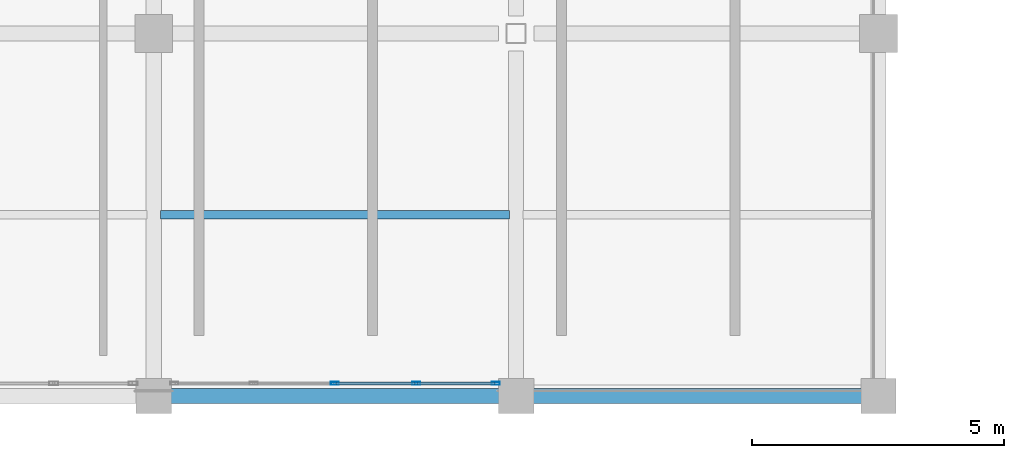
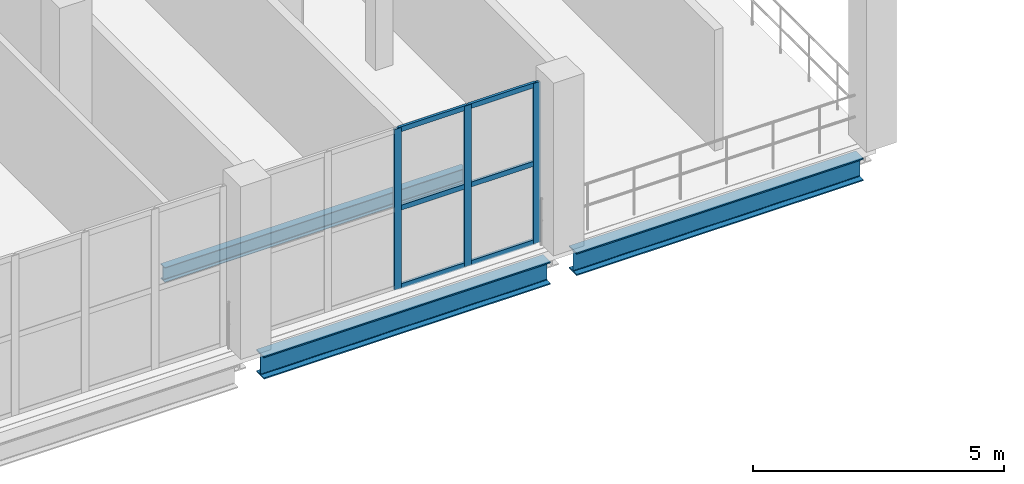
# One storey, part 40 of 130: 9 members, 3 beams, 1 element without a shape of its own.
"""IFC4 building model written with IfcOpenShell, lengths in metres."""

from ifc_helpers import new_model, si_unit, direction, frame, origin, origin_2d, place, context, subcontext, project, spatial, hollow_rectangle, i_section, extrude, material, material_profile, profile_set, type_object, element, aggregate, save


model = new_model("IFC4")

# Units and contexts
model_context = context("Model", 3, precision=1e-05, world=origin(), true_north=direction((0.0, 1.0)))
body_context = subcontext(model_context, "Body", "Model", "MODEL_VIEW")
ifc_project = project(units=[si_unit("LENGTHUNIT", "METRE"), si_unit("AREAUNIT", "SQUARE_METRE"), si_unit("VOLUMEUNIT", "CUBIC_METRE"), si_unit("PLANEANGLEUNIT", "RADIAN"), si_unit("MASSUNIT", "GRAM", prefix="KILO")], contexts=[model_context])

# Site, building, storey
site_placement = place(None, origin())
site = spatial("IfcSite", under=ifc_project, at=site_placement, CompositionType="ELEMENT")
building_placement = place(site_placement, origin())
building = spatial("IfcBuilding", under=site, at=building_placement, Name="Qandorah Velis Arena", CompositionType="ELEMENT")
storey_placement = place(building_placement, frame((0.0, 0.0, 9.60009765625)))
storey = spatial("IfcBuildingStorey", under=building, at=storey_placement, Name="L02", CompositionType="ELEMENT", Elevation=9.60009765625)

# Curtain wall, members
ifc_material_1 = material(Name="Solar-control low-E double glazing", Category="glass")
curtain_wall_type = type_object("IfcCurtainWallType", Name="ARC-CW-SYS19", PredefinedType="USERDEFINED", material=ifc_material_1)
curtain_wall_placement = place(storey_placement, origin())
curtain_wall = element("IfcCurtainWall", 1, at=curtain_wall_placement, inside=storey, type_object=curtain_wall_type, Name="Unitised curtain wall L02-067", ObjectType="UNITISED CURTAIN WALL", PredefinedType="USERDEFINED")
ifc_material_2 = material(Name="Champagne-bronze anodized aluminium 6063-T6", Category="aluminium")
ifc_material_profile_1 = material_profile(ifc_material_2, hollow_rectangle(XDim=0.06005859375, YDim=0.159912109375, WallThickness=0.00341796875, at=origin_2d()), Name="ALU MULLION 60x160")
ifc_profile_set_1 = profile_set([ifc_material_profile_1], Name="Champagne-bronze anodized aluminium 6063-T6")
member_type_1 = type_object("IfcMemberType", Name="ARC-CWM-160", PredefinedType="MULLION", material=ifc_profile_set_1)
member_1_placement = place(storey_placement, frame((104.39990234375, 0.25, -0.01513671875), z_axis=(0.0, 0.0, 1.0), x_axis=(0.0, 1.0, 0.0)))
member_1 = element("IfcMember", 2, at=member_1_placement, type_object=member_type_1, Name="CW19 mullion 3", PredefinedType="MULLION", context=body_context, shape_type="SweptSolid", body=[
    extrude(hollow_rectangle(XDim=0.06005859375, YDim=0.159912109375, WallThickness=0.00341796875, at=origin_2d()), origin(), (0.0, 0.0, 1.0), 3.91015625),
])
member_2_placement = place(storey_placement, frame((106.012451171875, 0.25, -0.01513671875), z_axis=(0.0, 0.0, 1.0), x_axis=(0.0, 1.0, 0.0)))
member_2 = element("IfcMember", 3, at=member_2_placement, type_object=member_type_1, Name="CW19 mullion 4", PredefinedType="MULLION", context=body_context, shape_type="SweptSolid", body=[
    extrude(hollow_rectangle(XDim=0.06005859375, YDim=0.159912109375, WallThickness=0.00341796875, at=origin_2d()), origin(), (0.0, 0.0, 1.0), 3.91015625),
])
member_3_placement = place(storey_placement, frame((107.594970703125, 0.25, -0.01513671875), z_axis=(0.0, 0.0, 1.0), x_axis=(0.0, 1.0, 0.0)))
member_3 = element("IfcMember", 4, at=member_3_placement, type_object=member_type_1, Name="CW19 mullion 5", PredefinedType="MULLION", context=body_context, shape_type="SweptSolid", body=[
    extrude(hollow_rectangle(XDim=0.06005859375, YDim=0.159912109375, WallThickness=0.00341796875, at=origin_2d()), origin(), (0.0, 0.0, 1.0), 3.91015625),
])
ifc_material_profile_2 = material_profile(ifc_material_2, hollow_rectangle(XDim=0.06005859375, YDim=0.1201171875, WallThickness=0.0029296875, at=origin_2d()), Name="ALU TRANSOM 60x120")
ifc_profile_set_2 = profile_set([ifc_material_profile_2], Name="Champagne-bronze anodized aluminium 6063-T6")
member_type_2 = type_object("IfcMemberType", Name="ARC-CWT-120", PredefinedType="USERDEFINED", material=ifc_profile_set_2)
member_4_placement = place(storey_placement, frame((104.41796875, 0.25, 0.02978515625), z_axis=(1.0, 0.0, 0.0), x_axis=(0.0, 1.0, 0.0)))
member_4 = element("IfcMember", 5, at=member_4_placement, type_object=member_type_2, Name="CW19 transom 3.1", ObjectType="TRANSOM", PredefinedType="USERDEFINED", context=body_context, shape_type="SweptSolid", body=[
    extrude(hollow_rectangle(XDim=0.06005859375, YDim=0.1201171875, WallThickness=0.0029296875, at=origin_2d()), origin(), (0.0, 0.0, 1.0), 1.576416015625),
])
member_5_placement = place(storey_placement, frame((104.41796875, 0.25, 1.93994140625), z_axis=(1.0, 0.0, 0.0), x_axis=(0.0, 1.0, 0.0)))
member_5 = element("IfcMember", 6, at=member_5_placement, type_object=member_type_2, Name="CW19 transom 3.2", ObjectType="TRANSOM", PredefinedType="USERDEFINED", context=body_context, shape_type="SweptSolid", body=[
    extrude(hollow_rectangle(XDim=0.06005859375, YDim=0.1201171875, WallThickness=0.0029296875, at=origin_2d()), origin(), (0.0, 0.0, 1.0), 1.576416015625),
])
member_6_placement = place(storey_placement, frame((104.41796875, 0.25, 3.849853515625), z_axis=(1.0, 0.0, 0.0), x_axis=(0.0, 1.0, 0.0)))
member_6 = element("IfcMember", 7, at=member_6_placement, type_object=member_type_2, Name="CW19 transom 3.3", ObjectType="TRANSOM", PredefinedType="USERDEFINED", context=body_context, shape_type="SweptSolid", body=[
    extrude(hollow_rectangle(XDim=0.06005859375, YDim=0.1201171875, WallThickness=0.0029296875, at=origin_2d()), origin(), (0.0, 0.0, 1.0), 1.576416015625),
])
member_7_placement = place(storey_placement, frame((106.030517578125, 0.25, 0.02978515625), z_axis=(1.0, 0.0, 0.0), x_axis=(0.0, 1.0, 0.0)))
member_7 = element("IfcMember", 8, at=member_7_placement, type_object=member_type_2, Name="CW19 transom 4.1", ObjectType="TRANSOM", PredefinedType="USERDEFINED", context=body_context, shape_type="SweptSolid", body=[
    extrude(hollow_rectangle(XDim=0.06005859375, YDim=0.1201171875, WallThickness=0.0029296875, at=origin_2d()), origin(), (0.0, 0.0, 1.0), 1.54638671875),
])
member_8_placement = place(storey_placement, frame((106.030517578125, 0.25, 1.93994140625), z_axis=(1.0, 0.0, 0.0), x_axis=(0.0, 1.0, 0.0)))
member_8 = element("IfcMember", 9, at=member_8_placement, type_object=member_type_2, Name="CW19 transom 4.2", ObjectType="TRANSOM", PredefinedType="USERDEFINED", context=body_context, shape_type="SweptSolid", body=[
    extrude(hollow_rectangle(XDim=0.06005859375, YDim=0.1201171875, WallThickness=0.0029296875, at=origin_2d()), origin(), (0.0, 0.0, 1.0), 1.54638671875),
])
member_9_placement = place(storey_placement, frame((106.030517578125, 0.25, 3.849853515625), z_axis=(1.0, 0.0, 0.0), x_axis=(0.0, 1.0, 0.0)))
member_9 = element("IfcMember", 10, at=member_9_placement, type_object=member_type_2, Name="CW19 transom 4.3", ObjectType="TRANSOM", PredefinedType="USERDEFINED", context=body_context, shape_type="SweptSolid", body=[
    extrude(hollow_rectangle(XDim=0.06005859375, YDim=0.1201171875, WallThickness=0.0029296875, at=origin_2d()), origin(), (0.0, 0.0, 1.0), 1.54638671875),
])
aggregate(curtain_wall, [member_1, member_2, member_3, member_4, member_5, member_6, member_7, member_8, member_9])

# Beams
ifc_material_3 = material(Name="Steel S355", Category="steel")
ifc_material_profile_3 = material_profile(ifc_material_3, i_section(OverallWidth=0.300048828125, OverallDepth=0.550048828125, WebThickness=0.014892578125, FlangeThickness=0.029052734375, FilletRadius=0.027099609375, at=origin_2d()), Name="HEB 550")
ifc_profile_set_3 = profile_set([ifc_material_profile_3], Name="Steel S355")
beam_type_1 = type_object("IfcBeamType", Name="STR-BM-HEB550", PredefinedType="BEAM", material=ifc_profile_set_3)
for number, where, z_axis, x_axis, name in (
    (11, (101.10009765625, 0.0, -0.55517578125), (1.0, 0.0, 0.0), (0.0, 1.0, 0.0), "Primary floor girder L02 X-011"),
    (12, (108.300048828125, 0.0, -0.55517578125), (1.0, 0.0, 0.0), (0.0, 1.0, 0.0), "Primary floor girder L02 X-012"),
):
    element("IfcBeam", number, at=place(storey_placement, frame(where, z_axis=z_axis, x_axis=x_axis)), inside=storey, type_object=beam_type_1, Name=name, PredefinedType="BEAM", context=body_context, shape_type="SweptSolid", body=[
        extrude(i_section(OverallWidth=0.300048828125, OverallDepth=0.550048828125, WebThickness=0.014892578125, FlangeThickness=0.029052734375, FilletRadius=0.027099609375, at=origin_2d()), origin(), (0.0, 0.0, 1.0), 6.599853515625),
    ])
ifc_material_profile_4 = material_profile(ifc_material_3, i_section(OverallWidth=0.169921875, OverallDepth=0.360107421875, WebThickness=0.008056640625, FlangeThickness=0.0126953125, FilletRadius=0.01806640625, at=origin_2d()), Name="IPE 360")
ifc_profile_set_4 = profile_set([ifc_material_profile_4], Name="Steel S355")
beam_type_2 = type_object("IfcBeamType", Name="STR-JST-IPE360", PredefinedType="JOIST", material=ifc_profile_set_4)
beam_placement = place(storey_placement, frame((100.93505859375, 3.60009765625, -0.460205078125), z_axis=(1.0, 0.0, 0.0), x_axis=(0.0, 1.0, 0.0)))
element("IfcBeam", 13, at=beam_placement, inside=storey, type_object=beam_type_2, Name="Secondary floor joist L02-070", PredefinedType="JOIST", context=body_context, shape_type="SweptSolid", body=[
    extrude(i_section(OverallWidth=0.169921875, OverallDepth=0.360107421875, WebThickness=0.008056640625, FlangeThickness=0.0126953125, FilletRadius=0.01806640625, at=origin_2d()), origin(), (0.0, 0.0, 1.0), 6.929931640625),
])

save(model, "model.ifc")
